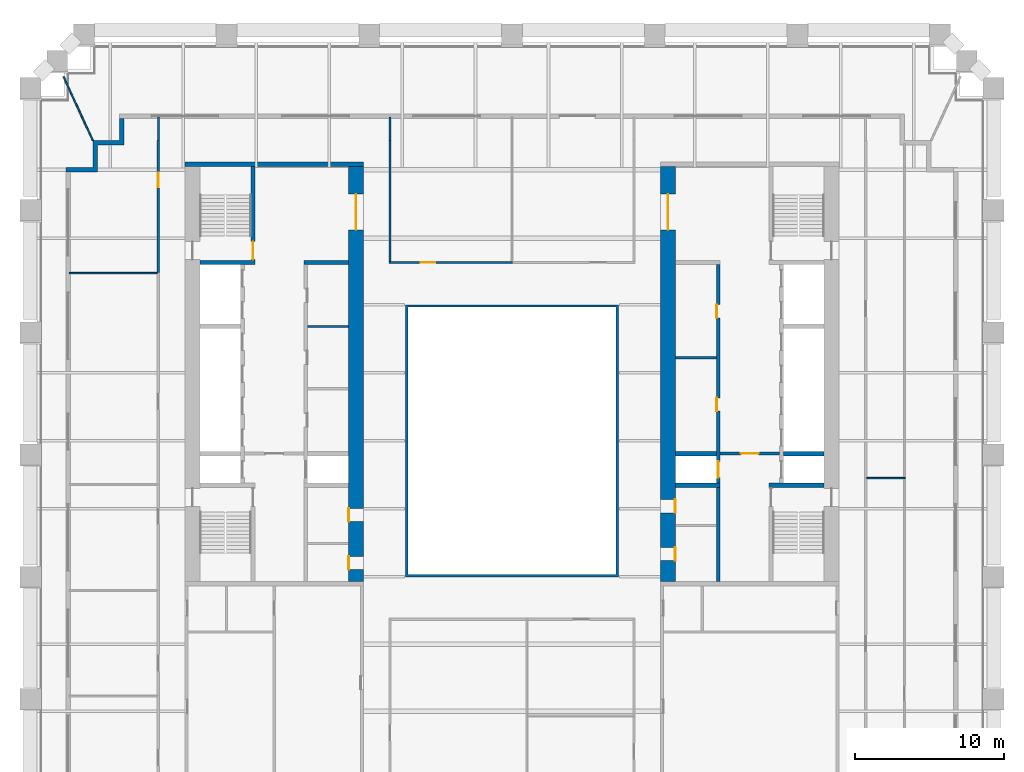
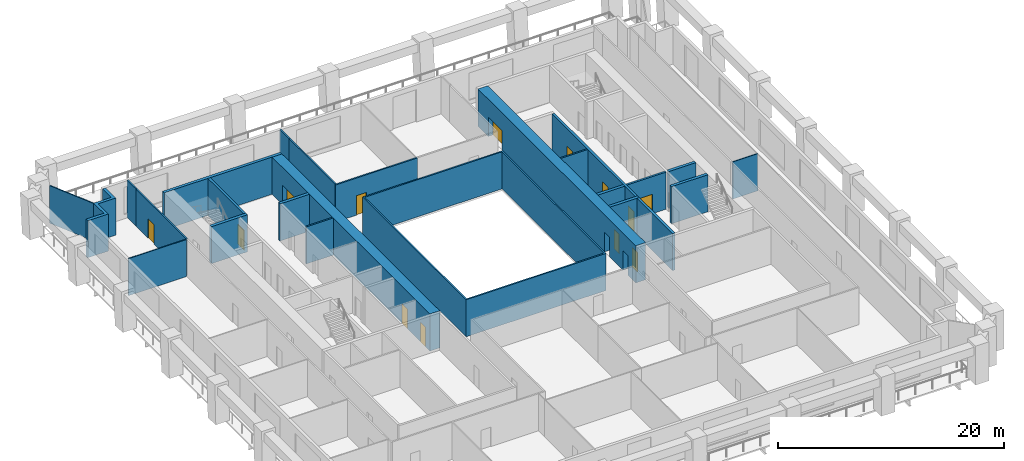
# One storey, part 6 of 10: 24 walls, 13 doors, 13 openings.
"""IFC4 building model written with IfcOpenShell, lengths in metres."""

from ifc_helpers import new_model, si_unit, direction, frame, frame_2d, origin, place, context, subcontext, project, spatial, polyline, rectangle, outline, extrude, material, layer, layer_set, type_object, element, fill, save


model = new_model("IFC4")

# Units and contexts
model_context = context("Model", 3, precision=1e-05, world=origin(), true_north=direction((0.0, 1.0)))
body_context = subcontext(model_context, "Body", "Model", "MODEL_VIEW")
ifc_project = project(units=[si_unit("LENGTHUNIT", "METRE"), si_unit("AREAUNIT", "SQUARE_METRE"), si_unit("VOLUMEUNIT", "CUBIC_METRE"), si_unit("PLANEANGLEUNIT", "RADIAN"), si_unit("MASSUNIT", "GRAM", prefix="KILO")], contexts=[model_context])

# Site, building, storey
site_placement = place(None, origin())
site = spatial("IfcSite", under=ifc_project, at=site_placement, CompositionType="ELEMENT")
building_placement = place(site_placement, origin())
building = spatial("IfcBuilding", under=site, at=building_placement, Name="Ogive Exchange Tower", CompositionType="ELEMENT")
storey_placement = place(building_placement, frame((0.0, 0.0, 64.800048828125)))
storey = spatial("IfcBuildingStorey", under=building, at=storey_placement, Name="L13", CompositionType="ELEMENT", Elevation=64.800048828125)

# Walls
ifc_material_1 = material(Name="Gypsum board partition")
ifc_layer_1 = layer(ifc_material_1, 0.14990234375)
ifc_layer_set_1 = layer_set([ifc_layer_1], Name="Core room partition 150 gypsum")
wall_type_1 = type_object("IfcWallType", Name="Core room partition 150 gypsum", PredefinedType="PARTITIONING", material=ifc_layer_set_1)
for number, where, z_axis, x_axis, name in (
    (1, (-13.75, 14.699951171875, 0.0), (0.0, 0.0, 1.0), (1.0, 0.0, 0.0), "W row B bay partition 1-2"),
    (2, (11.0, 12.60009765625, 0.0), (0.0, 0.0, 1.0), (1.0, 0.0, 0.0), "E row B bay partition 1-1"),
):
    element("IfcWall", number, at=place(storey_placement, frame(where, z_axis=z_axis, x_axis=x_axis)), inside=storey, type_object=wall_type_1, Name=name, PredefinedType="PARTITIONING", context=body_context, shape_type="SweptSolid", body=[
        extrude(rectangle(XDim=2.75, YDim=0.14990234375, at=frame_2d((1.375, 0.0))), origin(), (0.0, 0.0, 1.0), 4.0),
    ])
ifc_layer_2 = layer(ifc_material_1, 0.300048828125)
ifc_layer_set_2 = layer_set([ifc_layer_2], Name="Core room partition 300 gypsum")
wall_type_2 = type_object("IfcWallType", Name="Core room partition 300 gypsum", PredefinedType="PARTITIONING", material=ifc_layer_set_2)
wall_1_placement = place(storey_placement, frame((-14.0, 19.0, 0.0), z_axis=(0.0, 0.0, 1.0), x_axis=(1.0, 0.0, 0.0)))
element("IfcWall", 3, at=wall_1_placement, inside=storey, type_object=wall_type_2, Name="W row B room end wall 7", PredefinedType="PARTITIONING", context=body_context, shape_type="SweptSolid", body=[
    extrude(rectangle(XDim=3.0, YDim=0.300048828125, at=frame_2d((1.5, 0.0))), origin(), (0.0, 0.0, 1.0), 4.0),
])

# Wall, opening, door
ifc_material_2 = material(Name="Fire partition EI 60 150")
ifc_layer_3 = layer(ifc_material_2, 0.14990234375)
ifc_layer_set_3 = layer_set([ifc_layer_3], Name="Fire partition EI 60 150")
wall_type_3 = type_object("IfcWallType", Name="Fire partition EI 60 150", PredefinedType="PARTITIONING", material=ifc_layer_set_3)
wall_2_placement = place(storey_placement, frame((-23.800048828125, 18.340087890625, 0.0), z_axis=(0.0, 0.0, 1.0), x_axis=(0.0, 1.0, 0.0)))
wall_2 = element("IfcWall", 4, at=wall_2_placement, inside=storey, type_object=wall_type_3, Name="L13-PWL-011", PredefinedType="PARTITIONING", context=body_context, shape_type="SweptSolid", body=[
    extrude(rectangle(XDim=8.85986328125, YDim=0.14990234375, at=frame_2d((4.429931640625, 0.0))), origin(), (0.0, 0.0, 1.0), 4.0),
])
opening_1_placement = place(wall_2_placement, frame((5.7099609375, 0.0, 0.0)))
opening_1 = element("IfcOpeningElement", 5, at=opening_1_placement, cuts=wall_2, Name="Opening L13-I12", PredefinedType="OPENING", context=body_context, shape_type="SweptSolid", body=[
    extrude(rectangle(XDim=1.0, YDim=2.10009765625, at=frame_2d((0.5, 1.050048828125))), frame((0.0, 0.0849609375, 0.0), z_axis=(0.0, -1.0, 0.0), x_axis=(1.0, 0.0, 0.0)), (0.0, 0.0, 1.0), 0.169921875),
])
ifc_material_3 = material(Name="Fire door FD 30S 1000 x 2100")
door_type_1 = type_object("IfcDoorType", Name="Fire door FD 30S 1000 x 2100", OperationType="NOTDEFINED", PredefinedType="DOOR", material=ifc_material_3)
door_1_placement = place(opening_1_placement, origin())
door_1 = element("IfcDoor", 6, at=door_1_placement, inside=storey, type_object=door_type_1, Name="L13-IDR-012", ObjectType="DT3", OperationType="SINGLE_SWING_LEFT", OverallHeight=2.10009765625, OverallWidth=1.0, PredefinedType="DOOR", context=body_context, shape_type="SweptSolid", body=[
    extrude(rectangle(XDim=1.0, YDim=2.10009765625, at=frame_2d((0.5, 1.050048828125))), frame((0.0, 0.02490234375, 0.0), z_axis=(0.0, -1.0, 0.0), x_axis=(1.0, 0.0, 0.0)), (0.0, 0.0, 1.0), 0.050048828125),
])
fill(opening_1, door_1)

# Walls
for number, where, z_axis, x_axis, name in (
    (7, (-23.7900390625, 27.199951171875, 0.0), (0.0, 0.0, 1.0), (0.0, 1.0, 0.0), "L13-PWL-012"),
    (8, (-8.2099609375, 28.800048828125, 0.0), (0.0, 0.0, 1.0), (0.0, -1.0, 0.0), "L13-PWL-019"),
):
    element("IfcWall", number, at=place(storey_placement, frame(where, z_axis=z_axis, x_axis=x_axis)), inside=storey, type_object=wall_type_3, Name=name, PredefinedType="PARTITIONING", context=body_context, shape_type="SweptSolid", body=[
        extrude(rectangle(XDim=1.60009765625, YDim=0.14990234375, at=frame_2d((0.800048828125, 0.0))), origin(), (0.0, 0.0, 1.0), 4.0),
    ])

# Wall, opening, door
wall_3_placement = place(storey_placement, frame((-8.27490234375, 19.0, 0.0), z_axis=(0.0, 0.0, 1.0), x_axis=(1.0, 0.0, 0.0)))
wall_3 = element("IfcWall", 9, at=wall_3_placement, inside=storey, type_object=wall_type_3, Name="L13-PWL-022", PredefinedType="PARTITIONING", context=body_context, shape_type="SweptSolid", body=[
    extrude(rectangle(XDim=8.324951171875, YDim=0.14990234375, at=frame_2d((4.16259765625, 0.0))), origin(), (0.0, 0.0, 1.0), 4.0),
])
opening_2_placement = place(wall_3_placement, frame((2.125, 0.0, 0.0)))
opening_2 = element("IfcOpeningElement", 10, at=opening_2_placement, cuts=wall_3, Name="Opening L13-I11", PredefinedType="OPENING", context=body_context, shape_type="SweptSolid", body=[
    extrude(rectangle(XDim=1.0, YDim=2.10009765625, at=frame_2d((0.5, 1.050048828125))), frame((0.0, 0.0849609375, 0.0), z_axis=(0.0, -1.0, 0.0), x_axis=(1.0, 0.0, 0.0)), (0.0, 0.0, 1.0), 0.169921875),
])
door_2_placement = place(opening_2_placement, origin())
door_2 = element("IfcDoor", 11, at=door_2_placement, inside=storey, type_object=door_type_1, Name="L13-IDR-011", ObjectType="DT3", OperationType="SINGLE_SWING_RIGHT", OverallHeight=2.10009765625, OverallWidth=1.0, PredefinedType="DOOR", context=body_context, shape_type="SweptSolid", body=[
    extrude(rectangle(XDim=1.0, YDim=2.10009765625, at=frame_2d((0.5, 1.050048828125))), frame((0.0, 0.02490234375, 0.0), z_axis=(0.0, -1.0, 0.0), x_axis=(1.0, 0.0, 0.0)), (0.0, 0.0, 1.0), 0.050048828125),
])
fill(opening_2, door_2)

# Walls
wall_4_placement = place(storey_placement, frame((-8.199951171875, 27.199951171875, 0.0), z_axis=(0.0, 0.0, 1.0), x_axis=(0.0, -1.0, 0.0)))
element("IfcWall", 12, at=wall_4_placement, inside=storey, type_object=wall_type_3, Name="L13-PWL-023", PredefinedType="PARTITIONING", context=body_context, shape_type="SweptSolid", body=[
    extrude(rectangle(XDim=8.125, YDim=0.14990234375, at=frame_2d((4.0625, 0.0))), origin(), (0.0, 0.0, 1.0), 4.0),
])
ifc_material_4 = material(Name="Fire-resisting glass in steel frame", Category="steel")
ifc_layer_4 = layer(ifc_material_4, 0.14990234375)
ifc_layer_set_4 = layer_set([ifc_layer_4], Name="Fire-rated glazed wall 150")
wall_type_4 = type_object("IfcWallType", Name="Fire-rated glazed wall 150", PredefinedType="STANDARD", material=ifc_layer_set_4)
wall_5_placement = place(storey_placement, origin())
element("IfcWall", 13, at=wall_5_placement, inside=storey, type_object=wall_type_4, Name="Nave enclosure wall", PredefinedType="STANDARD", context=body_context, shape_type="SweptSolid", body=[
    extrude(outline(polyline([(-7.14990234375, -2.14990234375), (7.14990234375, -2.14990234375), (7.14990234375, 16.14990234375), (-7.14990234375, 16.14990234375), (-7.14990234375, -2.14990234375)]), holes=[polyline([(-7.0, -2.0), (-7.0, 16.0), (7.0, 16.0), (7.0, -2.0), (-7.0, -2.0)])]), origin(), (0.0, 0.0, 1.0), 4.0),
])
ifc_material_5 = material(Name="Precast concrete C40/50", Category="concrete")
ifc_layer_5 = layer(ifc_material_5, 0.300048828125)
ifc_layer_set_5 = layer_set([ifc_layer_5], Name="Limestone-faced wall 300")
wall_type_5 = type_object("IfcWallType", Name="Limestone-faced wall 300", PredefinedType="STANDARD", material=ifc_layer_set_5)
wall_6_placement = place(storey_placement, origin())
element("IfcWall", 14, at=wall_6_placement, inside=storey, type_object=wall_type_5, Name="External corner wall C3", PredefinedType="STANDARD", context=body_context, shape_type="SweptSolid", body=[
    extrude(outline(polyline([(-28.199951171875, 25.39990234375), (-28.199951171875, 27.199951171875), (-26.39990234375, 27.199951171875), (-26.39990234375, 28.699951171875), (-26.10009765625, 28.699951171875), (-26.10009765625, 26.89990234375), (-27.89990234375, 26.89990234375), (-27.89990234375, 25.10009765625), (-30.0, 25.10009765625), (-30.0, 25.39990234375), (-28.199951171875, 25.39990234375)])), origin(), (0.0, 0.0, 1.0), 4.0),
])
ifc_material_6 = material(Name="Laminated safety glass in steel frame", Category="steel")
ifc_layer_6 = layer(ifc_material_6, 0.10009765625)
ifc_layer_set_6 = layer_set([ifc_layer_6], Name="Loggia end screen 100")
wall_type_6 = type_object("IfcWallType", Name="Loggia end screen 100", PredefinedType="STANDARD", material=ifc_layer_set_6)
wall_7_placement = place(storey_placement, frame((-28.199951171875, 27.199951171875, -0.050048828125), z_axis=(0.0, 0.0, 1.0), x_axis=(-0.416654710493, 0.909064822894, 0.0)))
element("IfcWall", 15, at=wall_7_placement, inside=storey, type_object=wall_type_6, Name="Loggia end screen C3", PredefinedType="STANDARD", context=body_context, shape_type="SweptSolid", body=[
    extrude(rectangle(XDim=4.750244140625, YDim=0.10009765625, at=frame_2d((2.375, 0.0))), origin(), (0.0, 0.0, 1.0), 4.050048828125),
])
ifc_material_7 = material(Name="Partition 100 gypsum")
ifc_layer_7 = layer(ifc_material_7, 0.10009765625)
ifc_layer_set_7 = layer_set([ifc_layer_7], Name="Partition 100 gypsum")
wall_type_7 = type_object("IfcWallType", Name="Partition 100 gypsum", PredefinedType="PARTITIONING", material=ifc_layer_set_7)
wall_8_placement = place(storey_placement, frame((-23.875, 18.2900390625, 0.0), z_axis=(0.0, 0.0, 1.0), x_axis=(-1.0, 0.0, 0.0)))
element("IfcWall", 16, at=wall_8_placement, inside=storey, type_object=wall_type_7, Name="L13-PWL-010", PredefinedType="PARTITIONING", context=body_context, shape_type="SweptSolid", body=[
    extrude(rectangle(XDim=5.925048828125, YDim=0.10009765625, at=frame_2d((2.96240234375, 0.0))), origin(), (0.0, 0.0, 1.0), 4.0),
])
wall_9_placement = place(storey_placement, frame((23.875, 4.5, 0.0), z_axis=(0.0, 0.0, 1.0), x_axis=(1.0, 0.0, 0.0)))
element("IfcWall", 17, at=wall_9_placement, inside=storey, type_object=wall_type_7, Name="L13-PWL-046", PredefinedType="PARTITIONING", context=body_context, shape_type="SweptSolid", body=[
    extrude(rectangle(XDim=2.574951171875, YDim=0.10009765625, at=frame_2d((1.28759765625, 0.0))), origin(), (0.0, 0.0, 1.0), 4.0),
])

# Wall, openings, doors
ifc_material_8 = material(Name="Concrete C70/85", Category="concrete")
ifc_layer_8 = layer(ifc_material_8, 1.0)
ifc_layer_set_8 = layer_set([ifc_layer_8], Name="RC core wall 1000 C70/85")
wall_type_8 = type_object("IfcWallType", Name="RC core wall 1000 C70/85", PredefinedType="SHEAR", material=ifc_layer_set_8)
wall_10_placement = place(storey_placement, frame((-10.5, -2.449951171875, 0.0), z_axis=(0.0, 0.0, 1.0), x_axis=(0.0, 1.0, 0.0)))
wall_10 = element("IfcWall", 18, at=wall_10_placement, inside=storey, type_object=wall_type_8, Name="W inner wall", PredefinedType="SHEAR", context=body_context, shape_type="SweptSolid", body=[
    extrude(rectangle(XDim=27.89990234375, YDim=1.0, at=frame_2d((13.949951171875, 0.0))), origin(), (0.0, 0.0, 1.0), 4.0),
])
opening_3_placement = place(wall_10_placement, frame((23.64990234375, 0.0, 0.0)))
opening_3 = element("IfcOpeningElement", 19, at=opening_3_placement, cuts=wall_10, Name="Opening L13-C13", PredefinedType="OPENING", context=body_context, shape_type="SweptSolid", body=[
    extrude(rectangle(XDim=2.39990234375, YDim=2.10009765625, at=frame_2d((1.199951171875, 1.050048828125))), frame((0.0, 0.510009765625, 0.0), z_axis=(0.0, -1.0, 0.0), x_axis=(1.0, 0.0, 0.0)), (0.0, 0.0, 1.0), 1.02001953125),
])
opening_4_placement = place(wall_10_placement, frame((0.78759765625, 0.0, 0.0)))
opening_4 = element("IfcOpeningElement", 20, at=opening_4_placement, cuts=wall_10, Name="Opening L13-C18", PredefinedType="OPENING", context=body_context, shape_type="SweptSolid", body=[
    extrude(rectangle(XDim=0.89990234375, YDim=2.10009765625, at=frame_2d((0.449951171875, 1.050048828125))), frame((0.0, 0.510009765625, 0.0), z_axis=(0.0, -1.0, 0.0), x_axis=(1.0, 0.0, 0.0)), (0.0, 0.0, 1.0), 1.02001953125),
])
opening_5_placement = place(wall_10_placement, frame((4.012451171875, 0.0, 0.0)))
opening_5 = element("IfcOpeningElement", 21, at=opening_5_placement, cuts=wall_10, Name="Opening L13-C19", PredefinedType="OPENING", context=body_context, shape_type="SweptSolid", body=[
    extrude(rectangle(XDim=0.89990234375, YDim=2.10009765625, at=frame_2d((0.449951171875, 1.050048828125))), frame((0.0, 0.510009765625, 0.0), z_axis=(0.0, -1.0, 0.0), x_axis=(1.0, 0.0, 0.0)), (0.0, 0.0, 1.0), 1.02001953125),
])
ifc_material_9 = material(Name="Timber fire door", Category="wood")
door_type_2 = type_object("IfcDoorType", Name="Core room door FD30S 900 x 2100", OperationType="NOTDEFINED", PredefinedType="DOOR", material=ifc_material_9)
door_3_placement = place(opening_4_placement, origin())
door_3 = element("IfcDoor", 22, at=door_3_placement, inside=storey, type_object=door_type_2, Name="Core room door", ObjectType="CD6", OperationType="SINGLE_SWING_LEFT", OverallHeight=2.10009765625, OverallWidth=0.89990234375, PredefinedType="DOOR", context=body_context, shape_type="SweptSolid", body=[
    extrude(rectangle(XDim=0.89990234375, YDim=2.10009765625, at=frame_2d((0.449951171875, 1.050048828125))), frame((0.0, 0.5, 0.0), z_axis=(0.0, -1.0, 0.0), x_axis=(1.0, 0.0, 0.0)), (0.0, 0.0, 1.0), 0.050048828125),
])
fill(opening_4, door_3)
ifc_material_10 = material(Name="Glazed steel fire door", Category="steel")
door_type_3 = type_object("IfcDoorType", Name="Lift lobby double door FD60 2400 x 2100", OperationType="DOUBLE_DOOR_SINGLE_SWING", PredefinedType="DOOR", material=ifc_material_10)
door_4_placement = place(opening_3_placement, origin())
door_4 = element("IfcDoor", 23, at=door_4_placement, inside=storey, type_object=door_type_3, Name="Lift lobby double door", ObjectType="CD4", OperationType="DOUBLE_DOOR_SINGLE_SWING", OverallHeight=2.10009765625, OverallWidth=2.39990234375, PredefinedType="DOOR", context=body_context, shape_type="SweptSolid", body=[
    extrude(rectangle(XDim=2.39990234375, YDim=2.10009765625, at=frame_2d((1.199951171875, 1.050048828125))), frame((0.0, 0.02490234375, 0.0), z_axis=(0.0, -1.0, 0.0), x_axis=(1.0, 0.0, 0.0)), (0.0, 0.0, 1.0), 0.050048828125),
])
fill(opening_3, door_4)
ifc_material_11 = material(Name="Steel fire door", Category="steel")
door_type_4 = type_object("IfcDoorType", Name="Riser door FD60 900 x 2100", OperationType="NOTDEFINED", PredefinedType="DOOR", material=ifc_material_11)
door_5_placement = place(opening_5_placement, origin())
door_5 = element("IfcDoor", 24, at=door_5_placement, inside=storey, type_object=door_type_4, Name="Riser door", ObjectType="CD2", OperationType="SINGLE_SWING_LEFT", OverallHeight=2.10009765625, OverallWidth=0.89990234375, PredefinedType="DOOR", context=body_context, shape_type="SweptSolid", body=[
    extrude(rectangle(XDim=0.89990234375, YDim=2.10009765625, at=frame_2d((0.449951171875, 1.050048828125))), frame((0.0, 0.5, 0.0), z_axis=(0.0, -1.0, 0.0), x_axis=(1.0, 0.0, 0.0)), (0.0, 0.0, 1.0), 0.050048828125),
])
fill(opening_5, door_5)

wall_11_placement = place(storey_placement, frame((10.5, -2.449951171875, 0.0), z_axis=(0.0, 0.0, 1.0), x_axis=(0.0, 1.0, 0.0)))
wall_11 = element("IfcWall", 25, at=wall_11_placement, inside=storey, type_object=wall_type_8, Name="E inner wall", PredefinedType="SHEAR", context=body_context, shape_type="SweptSolid", body=[
    extrude(rectangle(XDim=27.89990234375, YDim=1.0, at=frame_2d((13.949951171875, 0.0))), origin(), (0.0, 0.0, 1.0), 4.0),
])
opening_6_placement = place(wall_11_placement, frame((23.64990234375, 0.0, 0.0)))
opening_6 = element("IfcOpeningElement", 26, at=opening_6_placement, cuts=wall_11, Name="Opening L13-C35", PredefinedType="OPENING", context=body_context, shape_type="SweptSolid", body=[
    extrude(rectangle(XDim=2.39990234375, YDim=2.10009765625, at=frame_2d((1.199951171875, 1.050048828125))), frame((0.0, 0.510009765625, 0.0), z_axis=(0.0, -1.0, 0.0), x_axis=(1.0, 0.0, 0.0)), (0.0, 0.0, 1.0), 1.02001953125),
])
opening_7_placement = place(wall_11_placement, frame((1.387451171875, 0.0, 0.0)))
opening_7 = element("IfcOpeningElement", 27, at=opening_7_placement, cuts=wall_11, Name="Opening L13-C40", PredefinedType="OPENING", context=body_context, shape_type="SweptSolid", body=[
    extrude(rectangle(XDim=0.89990234375, YDim=2.10009765625, at=frame_2d((0.449951171875, 1.050048828125))), frame((0.0, 0.510009765625, 0.0), z_axis=(0.0, -1.0, 0.0), x_axis=(1.0, 0.0, 0.0)), (0.0, 0.0, 1.0), 1.02001953125),
])
opening_8_placement = place(wall_11_placement, frame((4.612548828125, 0.0, 0.0)))
opening_8 = element("IfcOpeningElement", 28, at=opening_8_placement, cuts=wall_11, Name="Opening L13-C41", PredefinedType="OPENING", context=body_context, shape_type="SweptSolid", body=[
    extrude(rectangle(XDim=0.89990234375, YDim=2.10009765625, at=frame_2d((0.449951171875, 1.050048828125))), frame((0.0, 0.510009765625, 0.0), z_axis=(0.0, -1.0, 0.0), x_axis=(1.0, 0.0, 0.0)), (0.0, 0.0, 1.0), 1.02001953125),
])
door_6_placement = place(opening_7_placement, frame((0.89990234375, -0.9501953125, 0.0), z_axis=(0.0, 0.0, 1.0), x_axis=(-1.0, 0.0, 0.0)))
door_6 = element("IfcDoor", 29, at=door_6_placement, inside=storey, type_object=door_type_2, Name="Core room door", ObjectType="CD6", OperationType="SINGLE_SWING_LEFT", OverallHeight=2.10009765625, OverallWidth=0.89990234375, PredefinedType="DOOR", context=body_context, shape_type="SweptSolid", body=[
    extrude(rectangle(XDim=0.89990234375, YDim=2.10009765625, at=frame_2d((0.449951171875, 1.050048828125))), frame((0.0, -0.4501953125, 0.0), z_axis=(0.0, -1.0, 0.0), x_axis=(1.0, 0.0, 0.0)), (0.0, 0.0, 1.0), 0.050048828125),
])
fill(opening_7, door_6)
door_7_placement = place(opening_6_placement, frame((2.39990234375, 0.0, 0.0), z_axis=(0.0, 0.0, 1.0), x_axis=(-1.0, 0.0, 0.0)))
door_7 = element("IfcDoor", 30, at=door_7_placement, inside=storey, type_object=door_type_3, Name="Lift lobby double door", ObjectType="CD4", OperationType="DOUBLE_DOOR_SINGLE_SWING", OverallHeight=2.10009765625, OverallWidth=2.39990234375, PredefinedType="DOOR", context=body_context, shape_type="SweptSolid", body=[
    extrude(rectangle(XDim=2.39990234375, YDim=2.10009765625, at=frame_2d((1.199951171875, 1.050048828125))), frame((0.0, 0.02490234375, 0.0), z_axis=(0.0, -1.0, 0.0), x_axis=(1.0, 0.0, 0.0)), (0.0, 0.0, 1.0), 0.050048828125),
])
fill(opening_6, door_7)
door_8_placement = place(opening_8_placement, frame((0.89990234375, -0.9501953125, 0.0), z_axis=(0.0, 0.0, 1.0), x_axis=(-1.0, 0.0, 0.0)))
door_8 = element("IfcDoor", 31, at=door_8_placement, inside=storey, type_object=door_type_4, Name="Riser door", ObjectType="CD2", OperationType="SINGLE_SWING_LEFT", OverallHeight=2.10009765625, OverallWidth=0.89990234375, PredefinedType="DOOR", context=body_context, shape_type="SweptSolid", body=[
    extrude(rectangle(XDim=0.89990234375, YDim=2.10009765625, at=frame_2d((0.449951171875, 1.050048828125))), frame((0.0, -0.4501953125, 0.0), z_axis=(0.0, -1.0, 0.0), x_axis=(1.0, 0.0, 0.0)), (0.0, 0.0, 1.0), 0.050048828125),
])
fill(opening_8, door_8)

# Wall, opening, door
ifc_layer_9 = layer(ifc_material_8, 0.199951171875)
ifc_layer_set_9 = layer_set([ifc_layer_9], Name="RC core wall 200 C70/85")
wall_type_9 = type_object("IfcWallType", Name="RC core wall 200 C70/85", PredefinedType="SHEAR", material=ifc_layer_set_9)
wall_12_placement = place(storey_placement, frame((14.0, 6.142822265625, 0.0), z_axis=(0.0, 0.0, 1.0), x_axis=(1.0, 0.0, 0.0)))
wall_12 = element("IfcWall", 32, at=wall_12_placement, inside=storey, type_object=wall_type_9, Name="E firefighting lobby wall", PredefinedType="SHEAR", context=body_context, shape_type="SweptSolid", body=[
    extrude(rectangle(XDim=4.0, YDim=0.199951171875, at=frame_2d((2.0, 0.0))), origin(), (0.0, 0.0, 1.0), 4.0),
])
opening_9_placement = place(wall_12_placement, frame((1.39990234375, 0.0, 0.0)))
opening_9 = element("IfcOpeningElement", 33, at=opening_9_placement, cuts=wall_12, Name="Opening L13-C34", PredefinedType="OPENING", context=body_context, shape_type="SweptSolid", body=[
    extrude(rectangle(XDim=1.199951171875, YDim=2.10009765625, at=frame_2d((0.60009765625, 1.050048828125))), frame((0.0, 0.10986328125, 0.0), z_axis=(0.0, -1.0, 0.0), x_axis=(1.0, 0.0, 0.0)), (0.0, 0.0, 1.0), 0.219970703125),
])
door_type_5 = type_object("IfcDoorType", Name="Firefighting lobby door FD60 1200 x 2100", OperationType="NOTDEFINED", PredefinedType="DOOR", material=ifc_material_11)
door_9_placement = place(opening_9_placement, frame((1.199951171875, 0.0, 0.0), z_axis=(0.0, 0.0, 1.0), x_axis=(-1.0, 0.0, 0.0)))
door_9 = element("IfcDoor", 34, at=door_9_placement, inside=storey, type_object=door_type_5, Name="Firefighting lobby door", ObjectType="CD3", OperationType="SINGLE_SWING_LEFT", OverallHeight=2.10009765625, OverallWidth=1.199951171875, PredefinedType="DOOR", context=body_context, shape_type="SweptSolid", body=[
    extrude(rectangle(XDim=1.199951171875, YDim=2.10009765625, at=frame_2d((0.60009765625, 1.050048828125))), frame((0.0, 0.02490234375, 0.0), z_axis=(0.0, -1.0, 0.0), x_axis=(1.0, 0.0, 0.0)), (0.0, 0.0, 1.0), 0.050048828125),
])
fill(opening_9, door_9)

ifc_layer_10 = layer(ifc_material_8, 0.25)
ifc_layer_set_10 = layer_set([ifc_layer_10], Name="RC core wall 250 C70/85")
wall_type_10 = type_object("IfcWallType", Name="RC core wall 250 C70/85", PredefinedType="SHEAR", material=ifc_layer_set_10)
wall_13_placement = place(storey_placement, frame((-17.425048828125, 19.14990234375, 0.0), z_axis=(0.0, 0.0, 1.0), x_axis=(0.0, 1.0, 0.0)))
wall_13 = element("IfcWall", 35, at=wall_13_placement, inside=storey, type_object=wall_type_10, Name="W stair N front wall", PredefinedType="SHEAR", context=body_context, shape_type="SweptSolid", body=[
    extrude(rectangle(XDim=6.300048828125, YDim=0.25, at=frame_2d((3.14990234375, 0.0))), origin(), (0.0, 0.0, 1.0), 4.0),
])
opening_10_placement = place(wall_13_placement, frame((0.050048828125, 0.0, 0.0)))
opening_10 = element("IfcOpeningElement", 36, at=opening_10_placement, cuts=wall_13, Name="Opening L13-C16", PredefinedType="OPENING", context=body_context, shape_type="SweptSolid", body=[
    extrude(rectangle(XDim=1.199951171875, YDim=2.10009765625, at=frame_2d((0.60009765625, 1.050048828125))), frame((0.0, 0.135009765625, 0.0), z_axis=(0.0, -1.0, 0.0), x_axis=(1.0, 0.0, 0.0)), (0.0, 0.0, 1.0), 0.27001953125),
])
door_type_6 = type_object("IfcDoorType", Name="Stair door FD90 1200 x 2100", OperationType="NOTDEFINED", PredefinedType="DOOR", material=ifc_material_11)
door_10_placement = place(opening_10_placement, origin())
door_10 = element("IfcDoor", 37, at=door_10_placement, inside=storey, type_object=door_type_6, Name="Stair door", ObjectType="CD5", OperationType="SINGLE_SWING_RIGHT", OverallHeight=2.10009765625, OverallWidth=1.199951171875, PredefinedType="DOOR", context=body_context, shape_type="SweptSolid", body=[
    extrude(rectangle(XDim=1.199951171875, YDim=2.10009765625, at=frame_2d((0.60009765625, 1.050048828125))), frame((0.0, 0.02490234375, 0.0), z_axis=(0.0, -1.0, 0.0), x_axis=(1.0, 0.0, 0.0)), (0.0, 0.0, 1.0), 0.050048828125),
])
fill(opening_10, door_10)

# Wall, openings, doors
wall_14_placement = place(storey_placement, frame((13.875, -2.449951171875, 0.0), z_axis=(0.0, 0.0, 1.0), x_axis=(0.0, 1.0, 0.0)))
wall_14 = element("IfcWall", 38, at=wall_14_placement, inside=storey, type_object=wall_type_10, Name="E row B front wall", PredefinedType="SHEAR", context=body_context, shape_type="SweptSolid", body=[
    extrude(rectangle(XDim=21.300048828125, YDim=0.25, at=frame_2d((10.64990234375, 0.0))), origin(), (0.0, 0.0, 1.0), 4.0),
])
opening_11_placement = place(wall_14_placement, frame((11.4462890625, 0.0, 0.0)))
opening_11 = element("IfcOpeningElement", 39, at=opening_11_placement, cuts=wall_14, Name="Opening L13-C31", PredefinedType="OPENING", context=body_context, shape_type="SweptSolid", body=[
    extrude(rectangle(XDim=0.89990234375, YDim=2.10009765625, at=frame_2d((0.449951171875, 1.050048828125))), frame((0.0, 0.135009765625, 0.0), z_axis=(0.0, -1.0, 0.0), x_axis=(1.0, 0.0, 0.0)), (0.0, 0.0, 1.0), 0.27001953125),
])
opening_12_placement = place(wall_14_placement, frame((17.72509765625, 0.0, 0.0)))
opening_12 = element("IfcOpeningElement", 40, at=opening_12_placement, cuts=wall_14, Name="Opening L13-C32", PredefinedType="OPENING", context=body_context, shape_type="SweptSolid", body=[
    extrude(rectangle(XDim=0.89990234375, YDim=2.10009765625, at=frame_2d((0.449951171875, 1.050048828125))), frame((0.0, 0.135009765625, 0.0), z_axis=(0.0, -1.0, 0.0), x_axis=(1.0, 0.0, 0.0)), (0.0, 0.0, 1.0), 0.27001953125),
])
opening_13_placement = place(wall_14_placement, frame((6.971435546875, 0.0, 0.0)))
opening_13 = element("IfcOpeningElement", 41, at=opening_13_placement, cuts=wall_14, Name="Opening L13-C33", PredefinedType="OPENING", context=body_context, shape_type="SweptSolid", body=[
    extrude(rectangle(XDim=1.10009765625, YDim=2.10009765625, at=frame_2d((0.550048828125, 1.050048828125))), frame((0.0, 0.135009765625, 0.0), z_axis=(0.0, -1.0, 0.0), x_axis=(1.0, 0.0, 0.0)), (0.0, 0.0, 1.0), 0.27001953125),
])
ifc_material_12 = material(Name="Stainless steel", Category="steel")
door_type_7 = type_object("IfcDoorType", Name="Lift landing door FD90 1100 x 2100", OperationType="SLIDING_TO_LEFT", PredefinedType="DOOR", material=ifc_material_12)
door_11_placement = place(opening_13_placement, origin())
door_11 = element("IfcDoor", 42, at=door_11_placement, inside=storey, type_object=door_type_7, Name="Lift landing door SV2", ObjectType="LD", OperationType="SLIDING_TO_LEFT", OverallHeight=2.10009765625, OverallWidth=1.10009765625, PredefinedType="DOOR", context=body_context, shape_type="SweptSolid", body=[
    extrude(rectangle(XDim=1.10009765625, YDim=2.10009765625, at=frame_2d((0.550048828125, 1.050048828125))), frame((0.0, 0.02490234375, 0.0), z_axis=(0.0, -1.0, 0.0), x_axis=(1.0, 0.0, 0.0)), (0.0, 0.0, 1.0), 0.050048828125),
])
fill(opening_13, door_11)
door_12_placement = place(opening_11_placement, origin())
door_12 = element("IfcDoor", 43, at=door_12_placement, inside=storey, type_object=door_type_4, Name="Riser door", ObjectType="CD2", OperationType="SINGLE_SWING_LEFT", OverallHeight=2.10009765625, OverallWidth=0.89990234375, PredefinedType="DOOR", context=body_context, shape_type="SweptSolid", body=[
    extrude(rectangle(XDim=0.89990234375, YDim=2.10009765625, at=frame_2d((0.449951171875, 1.050048828125))), frame((0.0, 0.125, 0.0), z_axis=(0.0, -1.0, 0.0), x_axis=(1.0, 0.0, 0.0)), (0.0, 0.0, 1.0), 0.050048828125),
])
fill(opening_11, door_12)
door_13_placement = place(opening_12_placement, origin())
door_13 = element("IfcDoor", 44, at=door_13_placement, inside=storey, type_object=door_type_4, Name="Riser door", ObjectType="CD2", OperationType="SINGLE_SWING_LEFT", OverallHeight=2.10009765625, OverallWidth=0.89990234375, PredefinedType="DOOR", context=body_context, shape_type="SweptSolid", body=[
    extrude(rectangle(XDim=0.89990234375, YDim=2.10009765625, at=frame_2d((0.449951171875, 1.050048828125))), frame((0.0, 0.125, 0.0), z_axis=(0.0, -1.0, 0.0), x_axis=(1.0, 0.0, 0.0)), (0.0, 0.0, 1.0), 0.050048828125),
])
fill(opening_12, door_13)

# Walls
ifc_layer_11 = layer(ifc_material_8, 0.300048828125)
ifc_layer_set_11 = layer_set([ifc_layer_11], Name="RC core wall 300 C70/85")
wall_type_11 = type_object("IfcWallType", Name="RC core wall 300 C70/85", PredefinedType="SHEAR", material=ifc_layer_set_11)
wall_15_placement = place(storey_placement, frame((-22.0, 25.60009765625, 0.0), z_axis=(0.0, 0.0, 1.0), x_axis=(1.0, 0.0, 0.0)))
element("IfcWall", 45, at=wall_15_placement, inside=storey, type_object=wall_type_11, Name="W north end wall", PredefinedType="SHEAR", context=body_context, shape_type="SweptSolid", body=[
    extrude(rectangle(XDim=12.0, YDim=0.300048828125, at=frame_2d((6.0, 0.0))), origin(), (0.0, 0.0, 1.0), 4.0),
])
for number, where, z_axis, x_axis, name in (
    (46, (-21.0, 19.0, 0.0), (0.0, 0.0, 1.0), (1.0, 0.0, 0.0), "W stair N south wall"),
    (47, (17.300048828125, 4.0, 0.0), (0.0, 0.0, 1.0), (1.0, 0.0, 0.0), "E stair S north wall"),
):
    element("IfcWall", number, at=place(storey_placement, frame(where, z_axis=z_axis, x_axis=x_axis)), inside=storey, type_object=wall_type_11, Name=name, PredefinedType="SHEAR", context=body_context, shape_type="SweptSolid", body=[
        extrude(rectangle(XDim=3.699951171875, YDim=0.300048828125, at=frame_2d((1.85009765625, 0.0))), origin(), (0.0, 0.0, 1.0), 4.0),
    ])
wall_16_placement = place(storey_placement, frame((18.25, 6.142822265625, 0.0), z_axis=(0.0, 0.0, 1.0), x_axis=(1.0, 0.0, 0.0)))
element("IfcWall", 48, at=wall_16_placement, inside=storey, type_object=wall_type_11, Name="E row A divider 1", PredefinedType="SHEAR", context=body_context, shape_type="SweptSolid", body=[
    extrude(rectangle(XDim=2.75, YDim=0.300048828125, at=frame_2d((1.375, 0.0))), origin(), (0.0, 0.0, 1.0), 4.0),
])
wall_17_placement = place(storey_placement, frame((11.0, 4.0, 0.0), z_axis=(0.0, 0.0, 1.0), x_axis=(1.0, 0.0, 0.0)))
element("IfcWall", 49, at=wall_17_placement, inside=storey, type_object=wall_type_11, Name="E row B divider 0", PredefinedType="SHEAR", context=body_context, shape_type="SweptSolid", body=[
    extrude(rectangle(XDim=3.0, YDim=0.300048828125, at=frame_2d((1.5, 0.0))), origin(), (0.0, 0.0, 1.0), 4.0),
])
wall_18_placement = place(storey_placement, frame((11.0, 6.142822265625, 0.0), z_axis=(0.0, 0.0, 1.0), x_axis=(1.0, 0.0, 0.0)))
element("IfcWall", 50, at=wall_18_placement, inside=storey, type_object=wall_type_11, Name="E row B divider 1", PredefinedType="SHEAR", context=body_context, shape_type="SweptSolid", body=[
    extrude(rectangle(XDim=2.75, YDim=0.300048828125, at=frame_2d((1.375, 0.0))), origin(), (0.0, 0.0, 1.0), 4.0),
])

save(model, "model.ifc")
